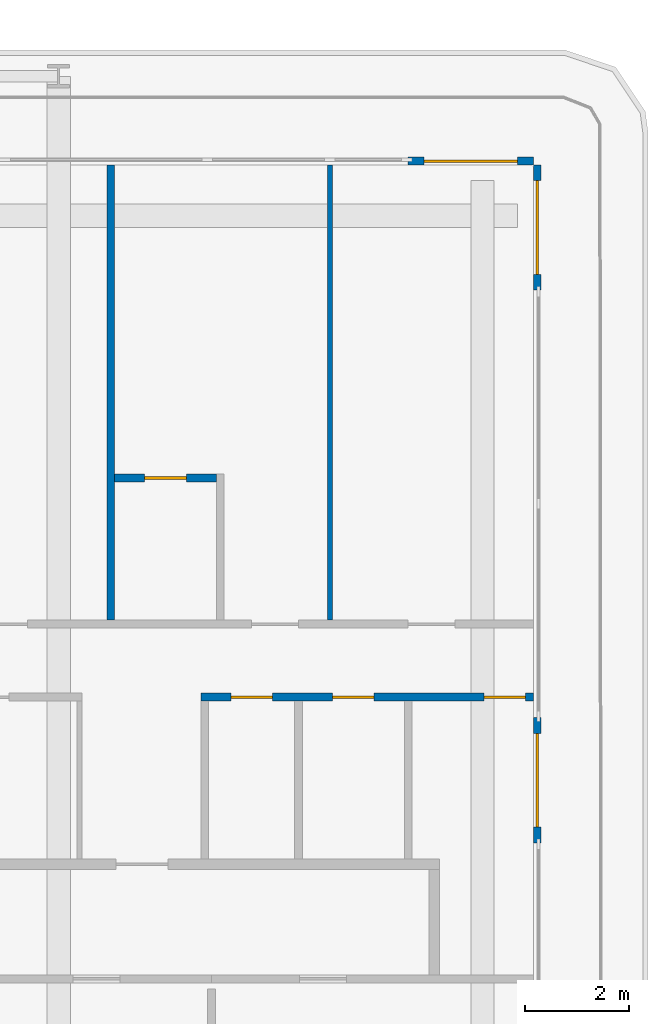
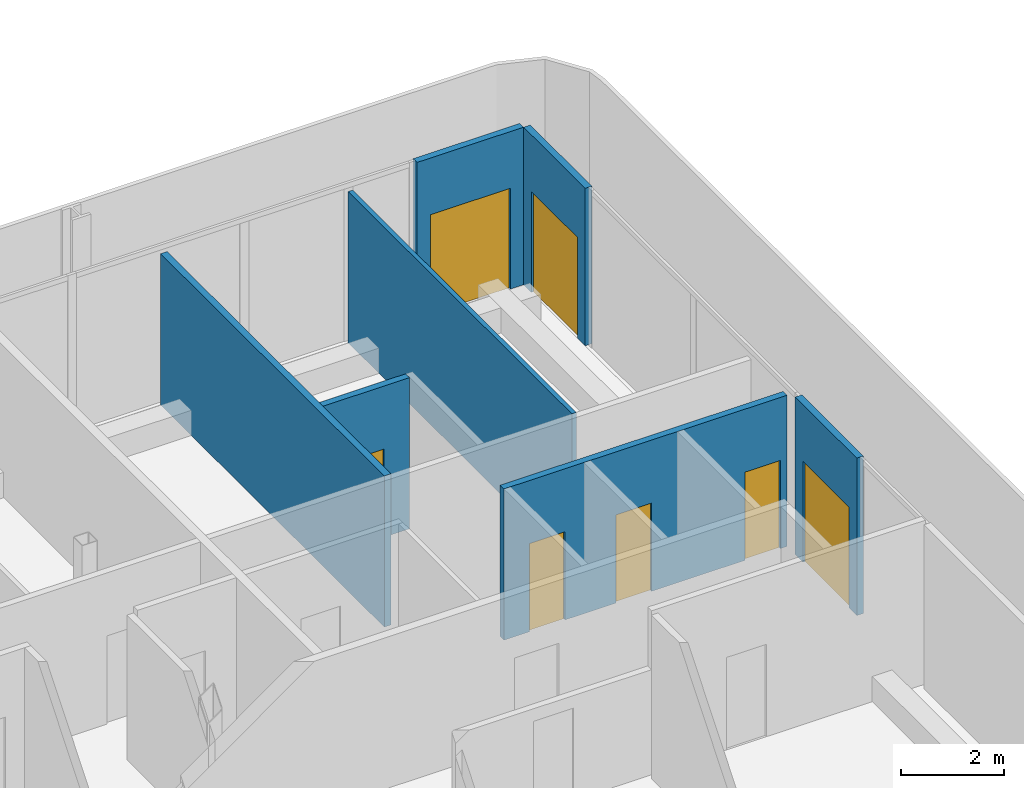
# One storey, part 18 of 26: 7 doors, 7 walls, 7 openings.
"""IFC4 building model written with IfcOpenShell, lengths in metres."""

from ifc_helpers import new_model, si_unit, direction, frame, frame_2d, origin, place, context, subcontext, project, spatial, rectangle, extrude, source, transform, mapped, material, layer, layer_set, type_object, element, fill, save


model = new_model("IFC4")

# Units and contexts
model_context = context("Model", 3, precision=1e-05, world=origin(), true_north=direction((0.0, 1.0)))
body_context = subcontext(model_context, "Body", "Model", "MODEL_VIEW")
ifc_project = project(units=[si_unit("LENGTHUNIT", "METRE"), si_unit("AREAUNIT", "SQUARE_METRE"), si_unit("VOLUMEUNIT", "CUBIC_METRE"), si_unit("PLANEANGLEUNIT", "RADIAN"), si_unit("MASSUNIT", "GRAM", prefix="KILO")], contexts=[model_context])

# Site, building, storey
site_placement = place(None, origin())
site = spatial("IfcSite", under=ifc_project, at=site_placement, CompositionType="ELEMENT")
building_placement = place(site_placement, origin())
building = spatial("IfcBuilding", under=site, at=building_placement, Name="Kheshtan School and Residences Tower", CompositionType="ELEMENT")
storey_placement = place(building_placement, frame((0.0, 0.0, 105.800048828125)))
storey = spatial("IfcBuildingStorey", under=building, at=storey_placement, Name="L24", CompositionType="ELEMENT", Elevation=105.800048828125)

# Wall, opening, door
ifc_material_1 = material(Name="Aluminium frame wall with insulated infill", Category="aluminium")
ifc_layer_1 = layer(ifc_material_1, 0.14990234375)
ifc_layer_set_1 = layer_set([ifc_layer_1], Name="Glazing frame wall 150")
wall_type_1 = type_object("IfcWallType", Name="Glazing frame wall 150", PredefinedType="SOLIDWALL", material=ifc_layer_set_1)
wall_1_placement = place(storey_placement, frame((97.5, 43.97509765625, 0.0), z_axis=(0.0, 0.0, 1.0), x_axis=(1.0, 0.0, 0.0)))
wall_1 = element("IfcWall", 1, at=wall_1_placement, inside=storey, type_object=wall_type_1, Name="Balcony door wall L24 8.5", PredefinedType="SOLIDWALL", context=body_context, shape_type="SweptSolid", body=[
    extrude(rectangle(XDim=2.39990234375, YDim=0.14990234375, at=frame_2d((1.199951171875, 0.0))), origin(), (0.0, 0.0, 1.0), 3.75),
])
opening_1_placement = place(wall_1_placement, frame((0.300048828125, 0.0, 0.0)))
opening_1 = element("IfcOpeningElement", 2, at=opening_1_placement, cuts=wall_1, Name="Opening BD", PredefinedType="OPENING", context=body_context, shape_type="SweptSolid", body=[
    extrude(rectangle(XDim=1.800048828125, YDim=2.39990234375, at=frame_2d((0.89990234375, 1.199951171875))), frame((0.0, 0.0849609375, 0.0), z_axis=(0.0, -1.0, 0.0), x_axis=(1.0, 0.0, 0.0)), (0.0, 0.0, 1.0), 0.169921875),
])
ifc_material_2 = material(Name="Clear low-e glass in thermally broken aluminium frame", Category="aluminium")
door_type_1 = type_object("IfcDoorType", Name="Balcony sliding door", OperationType="SLIDING_TO_LEFT", PredefinedType="DOOR", material=ifc_material_2)
shared_shape_1 = source(origin(), body_context, "Body", "SweptSolid", [
    extrude(rectangle(XDim=1.800048828125, YDim=2.39990234375, at=frame_2d((0.89990234375, 1.199951171875))), frame((0.0, 0.02490234375, 0.0), z_axis=(0.0, -1.0, 0.0), x_axis=(1.0, 0.0, 0.0)), (0.0, 0.0, 1.0), 0.050048828125),
])
door_1_placement = place(opening_1_placement, origin())
door_1 = element("IfcDoor", 3, at=door_1_placement, inside=storey, type_object=door_type_1, Name="Balcony door L24 8.5", OperationType="SLIDING_TO_LEFT", OverallHeight=2.39990234375, OverallWidth=1.800048828125, PredefinedType="DOOR", context=body_context, shape_type="MappedRepresentation", body=[
    mapped(shared_shape_1, transform((0.0, 0.0, 0.0), x_axis=(1.0, 0.0, 0.0), y_axis=(0.0, 1.0, 0.0), z_axis=(0.0, 0.0, 1.0), scale=1.0)),
])
fill(opening_1, door_1)

wall_2_placement = place(storey_placement, frame((99.97509765625, 43.89990234375, 0.0), z_axis=(0.0, 0.0, 1.0), x_axis=(0.0, -1.0, 0.0)))
wall_2 = element("IfcWall", 4, at=wall_2_placement, inside=storey, type_object=wall_type_1, Name="Balcony door wall L24 9.1", PredefinedType="SOLIDWALL", context=body_context, shape_type="SweptSolid", body=[
    extrude(rectangle(XDim=2.39990234375, YDim=0.14990234375, at=frame_2d((1.199951171875, 0.0))), origin(), (0.0, 0.0, 1.0), 3.75),
])
opening_2_placement = place(wall_2_placement, frame((0.300048828125, 0.0, 0.0)))
opening_2 = element("IfcOpeningElement", 5, at=opening_2_placement, cuts=wall_2, Name="Opening BD", PredefinedType="OPENING", context=body_context, shape_type="SweptSolid", body=[
    extrude(rectangle(XDim=1.800048828125, YDim=2.39990234375, at=frame_2d((0.89990234375, 1.199951171875))), frame((0.0, 0.0849609375, 0.0), z_axis=(0.0, -1.0, 0.0), x_axis=(1.0, 0.0, 0.0)), (0.0, 0.0, 1.0), 0.169921875),
])
door_2_placement = place(opening_2_placement, origin())
door_2 = element("IfcDoor", 6, at=door_2_placement, inside=storey, type_object=door_type_1, Name="Balcony door L24 9.1", OperationType="SLIDING_TO_LEFT", OverallHeight=2.39990234375, OverallWidth=1.800048828125, PredefinedType="DOOR", context=body_context, shape_type="MappedRepresentation", body=[
    mapped(shared_shape_1, transform((0.0, 0.0, 0.0), x_axis=(1.0, 0.0, 0.0), y_axis=(0.0, 1.0, 0.0), z_axis=(0.0, 0.0, 1.0), scale=1.0)),
])
fill(opening_2, door_2)

wall_3_placement = place(storey_placement, frame((99.97509765625, 33.306884765625, 0.0), z_axis=(0.0, 0.0, 1.0), x_axis=(0.0, -1.0, 0.0)))
wall_3 = element("IfcWall", 7, at=wall_3_placement, inside=storey, type_object=wall_type_1, Name="Balcony door wall L24 9.2", PredefinedType="SOLIDWALL", context=body_context, shape_type="SweptSolid", body=[
    extrude(rectangle(XDim=2.39990234375, YDim=0.14990234375, at=frame_2d((1.199951171875, 0.0))), origin(), (0.0, 0.0, 1.0), 3.75),
])
opening_3_placement = place(wall_3_placement, frame((0.300048828125, 0.0, 0.0)))
opening_3 = element("IfcOpeningElement", 8, at=opening_3_placement, cuts=wall_3, Name="Opening BD", PredefinedType="OPENING", context=body_context, shape_type="SweptSolid", body=[
    extrude(rectangle(XDim=1.800048828125, YDim=2.39990234375, at=frame_2d((0.89990234375, 1.199951171875))), frame((0.0, 0.0849609375, 0.0), z_axis=(0.0, -1.0, 0.0), x_axis=(1.0, 0.0, 0.0)), (0.0, 0.0, 1.0), 0.169921875),
])
door_3_placement = place(opening_3_placement, origin())
door_3 = element("IfcDoor", 9, at=door_3_placement, inside=storey, type_object=door_type_1, Name="Balcony door L24 9.2", OperationType="SLIDING_TO_LEFT", OverallHeight=2.39990234375, OverallWidth=1.800048828125, PredefinedType="DOOR", context=body_context, shape_type="MappedRepresentation", body=[
    mapped(shared_shape_1, transform((0.0, 0.0, 0.0), x_axis=(1.0, 0.0, 0.0), y_axis=(0.0, 1.0, 0.0), z_axis=(0.0, 0.0, 1.0), scale=1.0)),
])
fill(opening_3, door_3)

# Walls
ifc_material_3 = material(Name="Gypsum board on steel studs", Category="steel")
ifc_layer_2 = layer(ifc_material_3, 0.10009765625)
ifc_layer_set_2 = layer_set([ifc_layer_2], Name="Gypsum partition 100")
wall_type_2 = type_object("IfcWallType", Name="Gypsum partition 100", PredefinedType="PARTITIONING", material=ifc_layer_set_2)
wall_4_placement = place(storey_placement, frame((96.0, 35.175048828125, 0.0), z_axis=(0.0, 0.0, 1.0), x_axis=(0.0, 1.0, 0.0)))
element("IfcWall", 10, at=wall_4_placement, inside=storey, type_object=wall_type_2, Name="Partition L24-067", PredefinedType="PARTITIONING", context=body_context, shape_type="SweptSolid", body=[
    extrude(rectangle(XDim=8.724853515625, YDim=0.10009765625, at=frame_2d((4.3623046875, 0.0))), origin(), (0.0, 0.0, 1.0), 3.599853515625),
])
ifc_material_4 = material(Name="Moisture-resistant gypsum board on steel studs", Category="steel")
ifc_layer_3 = layer(ifc_material_4, 0.14990234375)
ifc_layer_set_3 = layer_set([ifc_layer_3], Name="Wet-room partition 150")
wall_type_3 = type_object("IfcWallType", Name="Wet-room partition 150", PredefinedType="PARTITIONING", material=ifc_layer_set_3)
wall_5_placement = place(storey_placement, frame((91.800048828125, 35.175048828125, 0.0), z_axis=(0.0, 0.0, 1.0), x_axis=(0.0, 1.0, 0.0)))
element("IfcWall", 11, at=wall_5_placement, inside=storey, type_object=wall_type_3, Name="Partition L24-061", PredefinedType="PARTITIONING", context=body_context, shape_type="SweptSolid", body=[
    extrude(rectangle(XDim=8.724853515625, YDim=0.14990234375, at=frame_2d((4.3623046875, 0.0))), origin(), (0.0, 0.0, 1.0), 3.599853515625),
])

# Wall, opening, door
wall_6_placement = place(storey_placement, frame((91.875, 37.89990234375, 0.0), z_axis=(0.0, 0.0, 1.0), x_axis=(1.0, 0.0, 0.0)))
wall_6 = element("IfcWall", 12, at=wall_6_placement, inside=storey, type_object=wall_type_3, Name="Partition L24-062", PredefinedType="PARTITIONING", context=body_context, shape_type="SweptSolid", body=[
    extrude(rectangle(XDim=1.949951171875, YDim=0.14990234375, at=frame_2d((0.97509765625, 0.0))), origin(), (0.0, 0.0, 1.0), 3.599853515625),
])
opening_4_placement = place(wall_6_placement, frame((0.574951171875, 0.0, 0.0)))
opening_4 = element("IfcOpeningElement", 13, at=opening_4_placement, cuts=wall_6, Name="Opening D23-024", PredefinedType="OPENING", context=body_context, shape_type="SweptSolid", body=[
    extrude(rectangle(XDim=0.800048828125, YDim=2.10009765625, at=frame_2d((0.39990234375, 1.050048828125))), frame((0.0, 0.0849609375, 0.0), z_axis=(0.0, -1.0, 0.0), x_axis=(1.0, 0.0, 0.0)), (0.0, 0.0, 1.0), 0.169921875),
])
ifc_material_5 = material(Name="Veneered timber door leaf", Category="wood")
door_type_2 = type_object("IfcDoorType", Name="Door 800 x 2100", OperationType="SINGLE_SWING_LEFT", PredefinedType="DOOR", material=ifc_material_5)
shared_shape_2 = source(origin(), body_context, "Body", "SweptSolid", [
    extrude(rectangle(XDim=0.800048828125, YDim=2.10009765625, at=frame_2d((0.39990234375, 1.050048828125))), frame((0.0, 0.02490234375, 0.0), z_axis=(0.0, -1.0, 0.0), x_axis=(1.0, 0.0, 0.0)), (0.0, 0.0, 1.0), 0.050048828125),
])
door_4_placement = place(opening_4_placement, origin())
door_4 = element("IfcDoor", 14, at=door_4_placement, inside=storey, type_object=door_type_2, Name="Door D23-024", OperationType="SINGLE_SWING_LEFT", OverallHeight=2.10009765625, OverallWidth=0.800048828125, PredefinedType="DOOR", context=body_context, shape_type="MappedRepresentation", body=[
    mapped(shared_shape_2, transform((0.0, 0.0, 0.0), x_axis=(1.0, 0.0, 0.0), y_axis=(0.0, 1.0, 0.0), z_axis=(0.0, 0.0, 1.0), scale=1.0)),
])
fill(opening_4, door_4)

# Wall, openings, doors
wall_7_placement = place(storey_placement, frame((93.52490234375, 33.699951171875, 0.0), z_axis=(0.0, 0.0, 1.0), x_axis=(1.0, 0.0, 0.0)))
wall_7 = element("IfcWall", 15, at=wall_7_placement, inside=storey, type_object=wall_type_3, Name="Partition L24-063", PredefinedType="PARTITIONING", context=body_context, shape_type="SweptSolid", body=[
    extrude(rectangle(XDim=6.375, YDim=0.14990234375, at=frame_2d((3.1875, 0.0))), origin(), (0.0, 0.0, 1.0), 3.599853515625),
])
opening_5_placement = place(wall_7_placement, frame((5.425048828125, 0.0, 0.0)))
opening_5 = element("IfcOpeningElement", 16, at=opening_5_placement, cuts=wall_7, Name="Opening D23-022", PredefinedType="OPENING", context=body_context, shape_type="SweptSolid", body=[
    extrude(rectangle(XDim=0.800048828125, YDim=2.10009765625, at=frame_2d((0.39990234375, 1.050048828125))), frame((0.0, 0.0849609375, 0.0), z_axis=(0.0, -1.0, 0.0), x_axis=(1.0, 0.0, 0.0)), (0.0, 0.0, 1.0), 0.169921875),
])
opening_6_placement = place(wall_7_placement, frame((2.52490234375, 0.0, 0.0)))
opening_6 = element("IfcOpeningElement", 17, at=opening_6_placement, cuts=wall_7, Name="Opening D23-027", PredefinedType="OPENING", context=body_context, shape_type="SweptSolid", body=[
    extrude(rectangle(XDim=0.800048828125, YDim=2.10009765625, at=frame_2d((0.39990234375, 1.050048828125))), frame((0.0, 0.0849609375, 0.0), z_axis=(0.0, -1.0, 0.0), x_axis=(1.0, 0.0, 0.0)), (0.0, 0.0, 1.0), 0.169921875),
])
opening_7_placement = place(wall_7_placement, frame((0.574951171875, 0.0, 0.0)))
opening_7 = element("IfcOpeningElement", 18, at=opening_7_placement, cuts=wall_7, Name="Opening D23-030", PredefinedType="OPENING", context=body_context, shape_type="SweptSolid", body=[
    extrude(rectangle(XDim=0.800048828125, YDim=2.10009765625, at=frame_2d((0.39990234375, 1.050048828125))), frame((0.0, 0.0849609375, 0.0), z_axis=(0.0, -1.0, 0.0), x_axis=(1.0, 0.0, 0.0)), (0.0, 0.0, 1.0), 0.169921875),
])
door_5_placement = place(opening_5_placement, origin())
door_5 = element("IfcDoor", 19, at=door_5_placement, inside=storey, type_object=door_type_2, Name="Door D23-022", OperationType="SINGLE_SWING_RIGHT", OverallHeight=2.10009765625, OverallWidth=0.800048828125, PredefinedType="DOOR", context=body_context, shape_type="MappedRepresentation", body=[
    mapped(shared_shape_2, transform((0.0, 0.0, 0.0), x_axis=(1.0, 0.0, 0.0), y_axis=(0.0, 1.0, 0.0), z_axis=(0.0, 0.0, 1.0), scale=1.0)),
])
fill(opening_5, door_5)
door_6_placement = place(opening_6_placement, origin())
door_6 = element("IfcDoor", 20, at=door_6_placement, inside=storey, type_object=door_type_2, Name="Door D23-027", OperationType="SINGLE_SWING_RIGHT", OverallHeight=2.10009765625, OverallWidth=0.800048828125, PredefinedType="DOOR", context=body_context, shape_type="MappedRepresentation", body=[
    mapped(shared_shape_2, transform((0.0, 0.0, 0.0), x_axis=(1.0, 0.0, 0.0), y_axis=(0.0, 1.0, 0.0), z_axis=(0.0, 0.0, 1.0), scale=1.0)),
])
fill(opening_6, door_6)
door_7_placement = place(opening_7_placement, origin())
door_7 = element("IfcDoor", 21, at=door_7_placement, inside=storey, type_object=door_type_2, Name="Door D23-030", OperationType="SINGLE_SWING_LEFT", OverallHeight=2.10009765625, OverallWidth=0.800048828125, PredefinedType="DOOR", context=body_context, shape_type="MappedRepresentation", body=[
    mapped(shared_shape_2, transform((0.0, 0.0, 0.0), x_axis=(1.0, 0.0, 0.0), y_axis=(0.0, 1.0, 0.0), z_axis=(0.0, 0.0, 1.0), scale=1.0)),
])
fill(opening_7, door_7)

save(model, "model.ifc")
